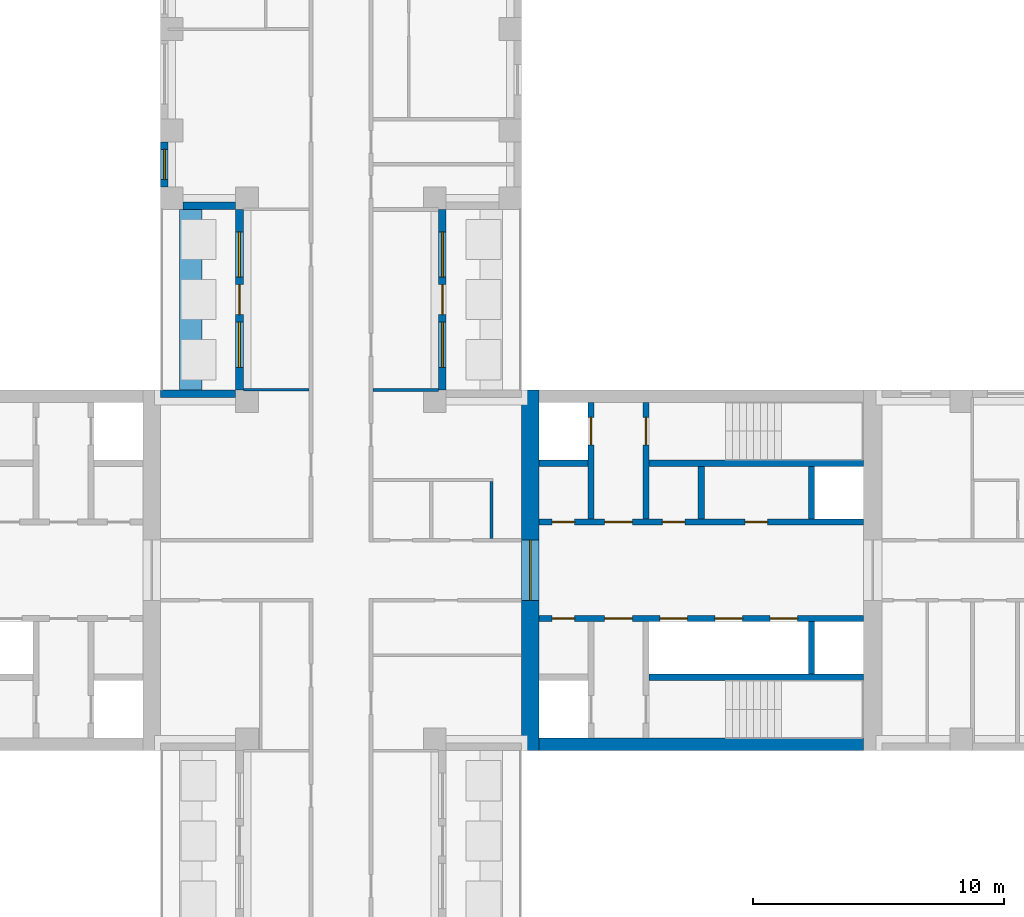
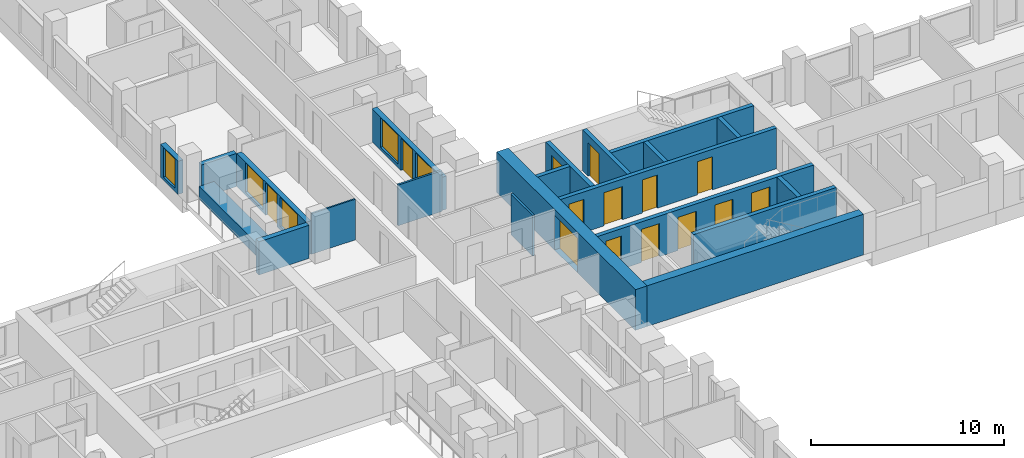
# One storey, part 8 of 15: 21 walls, 14 doors, 5 windows, 19 openings.
"""IFC4 building model written with IfcOpenShell, lengths in metres."""

from ifc_helpers import new_model, si_unit, direction, frame, frame_2d, origin, place, context, subcontext, project, spatial, rectangle, extrude, material, layer, layer_set, type_object, element, fill, save


model = new_model("IFC4")

# Units and contexts
model_context = context("Model", 3, precision=1e-05, world=origin(), true_north=direction((0.0, 1.0)))
body_context = subcontext(model_context, "Body", "Model", "MODEL_VIEW")
ifc_project = project(units=[si_unit("LENGTHUNIT", "METRE"), si_unit("AREAUNIT", "SQUARE_METRE"), si_unit("VOLUMEUNIT", "CUBIC_METRE"), si_unit("PLANEANGLEUNIT", "RADIAN"), si_unit("MASSUNIT", "GRAM", prefix="KILO")], contexts=[model_context])

# Site, building, storey
site_placement = place(None, origin())
site = spatial("IfcSite", under=ifc_project, at=site_placement, CompositionType="ELEMENT")
building_placement = place(site_placement, origin())
building = spatial("IfcBuilding", under=site, at=building_placement, Name="Fustian Cross Tower", CompositionType="ELEMENT")
storey_placement = place(building_placement, frame((0.0, 0.0, 50.699951171875)))
storey = spatial("IfcBuildingStorey", under=building, at=storey_placement, Name="L15", CompositionType="ELEMENT", Elevation=50.699951171875)

# Wall, opening, door
ifc_material_1 = material(Name="Concrete C80/95", Category="concrete")
ifc_layer_1 = layer(ifc_material_1, 0.699951171875)
ifc_layer_set_1 = layer_set([ifc_layer_1], Name="Concrete C80/95")
wall_type_1 = type_object("IfcWallType", Name="CORE END WALL 700 C80/95", PredefinedType="SHEAR", material=ifc_layer_set_1)
wall_1_placement = place(storey_placement, frame((7.550048828125, -7.199951171875, 0.0), z_axis=(0.0, 0.0, 1.0), x_axis=(0.0, 1.0, 0.0)))
wall_1 = element("IfcWall", 1, at=wall_1_placement, inside=storey, type_object=wall_type_1, Name="Core end wall", PredefinedType="SHEAR", context=body_context, shape_type="SweptSolid", body=[
    extrude(rectangle(XDim=14.39990234375, YDim=0.699951171875, at=frame_2d((7.199951171875, 0.0))), origin(), (0.0, 0.0, 1.0), 2.574951171875),
])
opening_1_placement = place(wall_1_placement, frame((6.0, 0.0, 0.0)))
opening_1 = element("IfcOpeningElement", 2, at=opening_1_placement, cuts=wall_1, Name="Opening CD-05-12", PredefinedType="OPENING", context=body_context, shape_type="SweptSolid", body=[
    extrude(rectangle(XDim=2.39990234375, YDim=2.199951171875, at=frame_2d((1.199951171875, 1.10009765625))), frame((0.0, 0.35986328125, 0.0), z_axis=(0.0, -1.0, 0.0), x_axis=(1.0, 0.0, 0.0)), (0.0, 0.0, 1.0), 0.719970703125),
])
ifc_material_2 = material(Name="Steel", Category="steel")
door_type_1 = type_object("IfcDoorType", Name="FIRE DOOR FD30S DOUBLE 2400X2200", OperationType="DOUBLE_DOOR_DOUBLE_SWING", PredefinedType="DOOR", material=ifc_material_2)
door_1_placement = place(opening_1_placement, frame((2.39990234375, 0.0, 0.0), z_axis=(0.0, 0.0, 1.0), x_axis=(-1.0, 0.0, 0.0)))
door_1 = element("IfcDoor", 3, at=door_1_placement, inside=storey, type_object=door_type_1, Name="Core door CD-05-12", OperationType="DOUBLE_DOOR_DOUBLE_SWING", OverallHeight=2.199951171875, OverallWidth=2.39990234375, PredefinedType="DOOR", context=body_context, shape_type="SweptSolid", body=[
    extrude(rectangle(XDim=2.39990234375, YDim=2.199951171875, at=frame_2d((1.199951171875, 1.10009765625))), frame((0.0, 0.02490234375, 0.0), z_axis=(0.0, -1.0, 0.0), x_axis=(1.0, 0.0, 0.0)), (0.0, 0.0, 1.0), 0.050048828125),
])
fill(opening_1, door_1)

# Wall
ifc_material_3 = material(Name="Concrete C80/95", Category="concrete")
ifc_layer_2 = layer(ifc_material_3, 0.5)
ifc_layer_set_2 = layer_set([ifc_layer_2], Name="Concrete C80/95")
wall_type_2 = type_object("IfcWallType", Name="CORE FACADE WALL 500 C80/95", PredefinedType="SHEAR", material=ifc_layer_set_2)
wall_2_placement = place(storey_placement, frame((7.89990234375, -6.949951171875, 0.0), z_axis=(0.0, 0.0, 1.0), x_axis=(1.0, 0.0, 0.0)))
element("IfcWall", 4, at=wall_2_placement, inside=storey, type_object=wall_type_2, Name="Core facade wall", PredefinedType="SHEAR", context=body_context, shape_type="SweptSolid", body=[
    extrude(rectangle(XDim=12.9501953125, YDim=0.5, at=frame_2d((6.47509765625, 0.0))), origin(), (0.0, 0.0, 1.0), 2.574951171875),
])

# Wall, openings, doors
ifc_material_4 = material(Name="Concrete C50/60", Category="concrete")
ifc_layer_3 = layer(ifc_material_4, 0.25)
ifc_layer_set_3 = layer_set([ifc_layer_3], Name="Concrete C50/60")
wall_type_3 = type_object("IfcWallType", Name="CORE LOBBY WALL 250 C50/60", PredefinedType="SHEAR", material=ifc_layer_set_3)
wall_3_placement = place(storey_placement, frame((7.89990234375, 1.925048828125, 0.0), z_axis=(0.0, 0.0, 1.0), x_axis=(1.0, 0.0, 0.0)))
wall_3 = element("IfcWall", 5, at=wall_3_placement, inside=storey, type_object=wall_type_3, Name="Core lobby wall", PredefinedType="SHEAR", context=body_context, shape_type="SweptSolid", body=[
    extrude(rectangle(XDim=12.9501953125, YDim=0.25, at=frame_2d((6.47509765625, 0.0))), origin(), (0.0, 0.0, 1.0), 2.574951171875),
])
opening_2_placement = place(wall_3_placement, frame((0.52490234375, 0.0, 0.0)))
opening_2 = element("IfcOpeningElement", 6, at=opening_2_placement, cuts=wall_3, Name="Opening CD-05-08", PredefinedType="OPENING", context=body_context, shape_type="SweptSolid", body=[
    extrude(rectangle(XDim=0.89990234375, YDim=2.10009765625, at=frame_2d((0.449951171875, 1.050048828125))), frame((0.0, 0.135009765625, 0.0), z_axis=(0.0, -1.0, 0.0), x_axis=(1.0, 0.0, 0.0)), (0.0, 0.0, 1.0), 0.27001953125),
])
opening_3_placement = place(wall_3_placement, frame((2.625, 0.0, 0.0)))
opening_3 = element("IfcOpeningElement", 7, at=opening_3_placement, cuts=wall_3, Name="Opening CD-05-10", PredefinedType="OPENING", context=body_context, shape_type="SweptSolid", body=[
    extrude(rectangle(XDim=1.10009765625, YDim=2.10009765625, at=frame_2d((0.550048828125, 1.050048828125))), frame((0.0, 0.135009765625, 0.0), z_axis=(0.0, -1.0, 0.0), x_axis=(1.0, 0.0, 0.0)), (0.0, 0.0, 1.0), 0.27001953125),
])
opening_4_placement = place(wall_3_placement, frame((4.925048828125, 0.0, 0.0)))
opening_4 = element("IfcOpeningElement", 8, at=opening_4_placement, cuts=wall_3, Name="Opening CD-05-14", PredefinedType="OPENING", context=body_context, shape_type="SweptSolid", body=[
    extrude(rectangle(XDim=0.89990234375, YDim=2.10009765625, at=frame_2d((0.449951171875, 1.050048828125))), frame((0.0, 0.135009765625, 0.0), z_axis=(0.0, -1.0, 0.0), x_axis=(1.0, 0.0, 0.0)), (0.0, 0.0, 1.0), 0.27001953125),
])
opening_5_placement = place(wall_3_placement, frame((8.22509765625, 0.0, 0.0)))
opening_5 = element("IfcOpeningElement", 9, at=opening_5_placement, cuts=wall_3, Name="Opening CD-05-15", PredefinedType="OPENING", context=body_context, shape_type="SweptSolid", body=[
    extrude(rectangle(XDim=0.89990234375, YDim=2.10009765625, at=frame_2d((0.449951171875, 1.050048828125))), frame((0.0, 0.135009765625, 0.0), z_axis=(0.0, -1.0, 0.0), x_axis=(1.0, 0.0, 0.0)), (0.0, 0.0, 1.0), 0.27001953125),
])
ifc_material_5 = material(Name="Steel", Category="steel")
door_type_2 = type_object("IfcDoorType", Name="FIRE DOOR FD30S 900X2100", OperationType="SINGLE_SWING_LEFT", PredefinedType="DOOR", material=ifc_material_5)
door_2_placement = place(opening_4_placement, origin())
door_2 = element("IfcDoor", 10, at=door_2_placement, inside=storey, type_object=door_type_2, Name="Core door CD-05-14", OperationType="SINGLE_SWING_LEFT", OverallHeight=2.10009765625, OverallWidth=0.89990234375, PredefinedType="DOOR", context=body_context, shape_type="SweptSolid", body=[
    extrude(rectangle(XDim=0.89990234375, YDim=2.10009765625, at=frame_2d((0.449951171875, 1.050048828125))), frame((0.0, 0.02490234375, 0.0), z_axis=(0.0, -1.0, 0.0), x_axis=(1.0, 0.0, 0.0)), (0.0, 0.0, 1.0), 0.050048828125),
])
fill(opening_4, door_2)
door_3_placement = place(opening_5_placement, origin())
door_3 = element("IfcDoor", 11, at=door_3_placement, inside=storey, type_object=door_type_2, Name="Core door CD-05-15", OperationType="SINGLE_SWING_RIGHT", OverallHeight=2.10009765625, OverallWidth=0.89990234375, PredefinedType="DOOR", context=body_context, shape_type="SweptSolid", body=[
    extrude(rectangle(XDim=0.89990234375, YDim=2.10009765625, at=frame_2d((0.449951171875, 1.050048828125))), frame((0.0, 0.02490234375, 0.0), z_axis=(0.0, -1.0, 0.0), x_axis=(1.0, 0.0, 0.0)), (0.0, 0.0, 1.0), 0.050048828125),
])
fill(opening_5, door_3)
ifc_material_6 = material(Name="Steel", Category="steel")
door_type_3 = type_object("IfcDoorType", Name="FIRE DOOR FD60S 1100X2100", OperationType="SINGLE_SWING_LEFT", PredefinedType="DOOR", material=ifc_material_6)
door_4_placement = place(opening_3_placement, frame((1.10009765625, 0.0, 0.0), z_axis=(0.0, 0.0, 1.0), x_axis=(-1.0, 0.0, 0.0)))
door_4 = element("IfcDoor", 12, at=door_4_placement, inside=storey, type_object=door_type_3, Name="Core door CD-05-10", OperationType="SINGLE_SWING_RIGHT", OverallHeight=2.10009765625, OverallWidth=1.10009765625, PredefinedType="DOOR", context=body_context, shape_type="SweptSolid", body=[
    extrude(rectangle(XDim=1.10009765625, YDim=2.10009765625, at=frame_2d((0.550048828125, 1.050048828125))), frame((0.0, 0.02490234375, 0.0), z_axis=(0.0, -1.0, 0.0), x_axis=(1.0, 0.0, 0.0)), (0.0, 0.0, 1.0), 0.050048828125),
])
fill(opening_3, door_4)
ifc_material_7 = material(Name="Steel", Category="steel")
door_type_4 = type_object("IfcDoorType", Name="FIRE DOOR FD60S 900X2100", OperationType="SINGLE_SWING_LEFT", PredefinedType="DOOR", material=ifc_material_7)
door_5_placement = place(opening_2_placement, origin())
door_5 = element("IfcDoor", 13, at=door_5_placement, inside=storey, type_object=door_type_4, Name="Core door CD-05-08", OperationType="SINGLE_SWING_LEFT", OverallHeight=2.10009765625, OverallWidth=0.89990234375, PredefinedType="DOOR", context=body_context, shape_type="SweptSolid", body=[
    extrude(rectangle(XDim=0.89990234375, YDim=2.10009765625, at=frame_2d((0.449951171875, 1.050048828125))), frame((0.0, 0.02490234375, 0.0), z_axis=(0.0, -1.0, 0.0), x_axis=(1.0, 0.0, 0.0)), (0.0, 0.0, 1.0), 0.050048828125),
])
fill(opening_2, door_5)

wall_4_placement = place(storey_placement, frame((7.89990234375, -1.925048828125, 0.0), z_axis=(0.0, 0.0, 1.0), x_axis=(1.0, 0.0, 0.0)))
wall_4 = element("IfcWall", 14, at=wall_4_placement, inside=storey, type_object=wall_type_3, Name="Core lobby wall", PredefinedType="SHEAR", context=body_context, shape_type="SweptSolid", body=[
    extrude(rectangle(XDim=12.9501953125, YDim=0.25, at=frame_2d((6.47509765625, 0.0))), origin(), (0.0, 0.0, 1.0), 2.574951171875),
])
opening_6_placement = place(wall_4_placement, frame((4.824951171875, 0.0, 0.0)))
opening_6 = element("IfcOpeningElement", 15, at=opening_6_placement, cuts=wall_4, Name="Opening LD", PredefinedType="OPENING", context=body_context, shape_type="SweptSolid", body=[
    extrude(rectangle(XDim=1.10009765625, YDim=2.10009765625, at=frame_2d((0.550048828125, 1.050048828125))), frame((0.0, 0.135009765625, 0.0), z_axis=(0.0, -1.0, 0.0), x_axis=(1.0, 0.0, 0.0)), (0.0, 0.0, 1.0), 0.27001953125),
])
opening_7_placement = place(wall_4_placement, frame((7.02490234375, 0.0, 0.0)))
opening_7 = element("IfcOpeningElement", 16, at=opening_7_placement, cuts=wall_4, Name="Opening LD", PredefinedType="OPENING", context=body_context, shape_type="SweptSolid", body=[
    extrude(rectangle(XDim=1.10009765625, YDim=2.10009765625, at=frame_2d((0.550048828125, 1.050048828125))), frame((0.0, 0.135009765625, 0.0), z_axis=(0.0, -1.0, 0.0), x_axis=(1.0, 0.0, 0.0)), (0.0, 0.0, 1.0), 0.27001953125),
])
opening_8_placement = place(wall_4_placement, frame((9.22509765625, 0.0, 0.0)))
opening_8 = element("IfcOpeningElement", 17, at=opening_8_placement, cuts=wall_4, Name="Opening LD", PredefinedType="OPENING", context=body_context, shape_type="SweptSolid", body=[
    extrude(rectangle(XDim=1.10009765625, YDim=2.10009765625, at=frame_2d((0.550048828125, 1.050048828125))), frame((0.0, 0.135009765625, 0.0), z_axis=(0.0, -1.0, 0.0), x_axis=(1.0, 0.0, 0.0)), (0.0, 0.0, 1.0), 0.27001953125),
])
opening_9_placement = place(wall_4_placement, frame((0.52490234375, 0.0, 0.0)))
opening_9 = element("IfcOpeningElement", 18, at=opening_9_placement, cuts=wall_4, Name="Opening CD-05-09", PredefinedType="OPENING", context=body_context, shape_type="SweptSolid", body=[
    extrude(rectangle(XDim=0.89990234375, YDim=2.10009765625, at=frame_2d((0.449951171875, 1.050048828125))), frame((0.0, 0.135009765625, 0.0), z_axis=(0.0, -1.0, 0.0), x_axis=(1.0, 0.0, 0.0)), (0.0, 0.0, 1.0), 0.27001953125),
])
opening_10_placement = place(wall_4_placement, frame((2.625, 0.0, 0.0)))
opening_10 = element("IfcOpeningElement", 19, at=opening_10_placement, cuts=wall_4, Name="Opening CD-05-11", PredefinedType="OPENING", context=body_context, shape_type="SweptSolid", body=[
    extrude(rectangle(XDim=1.10009765625, YDim=2.10009765625, at=frame_2d((0.550048828125, 1.050048828125))), frame((0.0, 0.135009765625, 0.0), z_axis=(0.0, -1.0, 0.0), x_axis=(1.0, 0.0, 0.0)), (0.0, 0.0, 1.0), 0.27001953125),
])
ifc_material_8 = material(Name="Steel", Category="steel")
door_type_5 = type_object("IfcDoorType", Name="FIRE DOOR FD30S 1100X2100", OperationType="SINGLE_SWING_LEFT", PredefinedType="DOOR", material=ifc_material_8)
door_6_placement = place(opening_10_placement, frame((1.10009765625, 0.0, 0.0), z_axis=(0.0, 0.0, 1.0), x_axis=(-1.0, 0.0, 0.0)))
door_6 = element("IfcDoor", 20, at=door_6_placement, inside=storey, type_object=door_type_5, Name="Core door CD-05-11", OperationType="SINGLE_SWING_RIGHT", OverallHeight=2.10009765625, OverallWidth=1.10009765625, PredefinedType="DOOR", context=body_context, shape_type="SweptSolid", body=[
    extrude(rectangle(XDim=1.10009765625, YDim=2.10009765625, at=frame_2d((0.550048828125, 1.050048828125))), frame((0.0, 0.02490234375, 0.0), z_axis=(0.0, -1.0, 0.0), x_axis=(1.0, 0.0, 0.0)), (0.0, 0.0, 1.0), 0.050048828125),
])
fill(opening_10, door_6)
door_7_placement = place(opening_9_placement, frame((0.89990234375, 0.0, 0.0), z_axis=(0.0, 0.0, 1.0), x_axis=(-1.0, 0.0, 0.0)))
door_7 = element("IfcDoor", 21, at=door_7_placement, inside=storey, type_object=door_type_2, Name="Core door CD-05-09", OperationType="SINGLE_SWING_RIGHT", OverallHeight=2.10009765625, OverallWidth=0.89990234375, PredefinedType="DOOR", context=body_context, shape_type="SweptSolid", body=[
    extrude(rectangle(XDim=0.89990234375, YDim=2.10009765625, at=frame_2d((0.449951171875, 1.050048828125))), frame((0.0, 0.02490234375, 0.0), z_axis=(0.0, -1.0, 0.0), x_axis=(1.0, 0.0, 0.0)), (0.0, 0.0, 1.0), 0.050048828125),
])
fill(opening_9, door_7)
ifc_material_9 = material(Name="Stainless steel", Category="steel")
door_type_6 = type_object("IfcDoorType", Name="LIFT LANDING DOOR 1100X2100", OperationType="SLIDING_TO_LEFT", PredefinedType="DOOR", material=ifc_material_9)
door_8_placement = place(opening_6_placement, origin())
door_8 = element("IfcDoor", 22, at=door_8_placement, inside=storey, type_object=door_type_6, Name="Landing door LR1", OperationType="SLIDING_TO_LEFT", OverallHeight=2.10009765625, OverallWidth=1.10009765625, PredefinedType="DOOR", context=body_context, shape_type="SweptSolid", body=[
    extrude(rectangle(XDim=1.10009765625, YDim=2.10009765625, at=frame_2d((0.550048828125, 1.050048828125))), frame((0.0, 0.02490234375, 0.0), z_axis=(0.0, -1.0, 0.0), x_axis=(1.0, 0.0, 0.0)), (0.0, 0.0, 1.0), 0.050048828125),
])
fill(opening_6, door_8)
door_9_placement = place(opening_7_placement, origin())
door_9 = element("IfcDoor", 23, at=door_9_placement, inside=storey, type_object=door_type_6, Name="Landing door LR2", OperationType="SLIDING_TO_LEFT", OverallHeight=2.10009765625, OverallWidth=1.10009765625, PredefinedType="DOOR", context=body_context, shape_type="SweptSolid", body=[
    extrude(rectangle(XDim=1.10009765625, YDim=2.10009765625, at=frame_2d((0.550048828125, 1.050048828125))), frame((0.0, 0.02490234375, 0.0), z_axis=(0.0, -1.0, 0.0), x_axis=(1.0, 0.0, 0.0)), (0.0, 0.0, 1.0), 0.050048828125),
])
fill(opening_7, door_9)
door_10_placement = place(opening_8_placement, origin())
door_10 = element("IfcDoor", 24, at=door_10_placement, inside=storey, type_object=door_type_6, Name="Landing door LR3", OperationType="SLIDING_TO_LEFT", OverallHeight=2.10009765625, OverallWidth=1.10009765625, PredefinedType="DOOR", context=body_context, shape_type="SweptSolid", body=[
    extrude(rectangle(XDim=1.10009765625, YDim=2.10009765625, at=frame_2d((0.550048828125, 1.050048828125))), frame((0.0, 0.02490234375, 0.0), z_axis=(0.0, -1.0, 0.0), x_axis=(1.0, 0.0, 0.0)), (0.0, 0.0, 1.0), 0.050048828125),
])
fill(opening_8, door_10)

# Walls
ifc_material_10 = material(Name="Concrete C50/60", Category="concrete")
ifc_layer_4 = layer(ifc_material_10, 0.25)
ifc_layer_set_4 = layer_set([ifc_layer_4], Name="Concrete C50/60")
wall_type_4 = type_object("IfcWallType", Name="CORE SHAFT WALL 250 C50/60", PredefinedType="SHEAR", material=ifc_layer_set_4)
wall_5_placement = place(storey_placement, frame((7.89990234375, 4.27490234375, 0.0), z_axis=(0.0, 0.0, 1.0), x_axis=(1.0, 0.0, 0.0)))
element("IfcWall", 25, at=wall_5_placement, inside=storey, type_object=wall_type_4, Name="Core shaft wall", PredefinedType="SHEAR", context=body_context, shape_type="SweptSolid", body=[
    extrude(rectangle(XDim=1.9501953125, YDim=0.25, at=frame_2d((0.97509765625, 0.0))), origin(), (0.0, 0.0, 1.0), 2.574951171875),
])
wall_6_placement = place(storey_placement, frame((12.300048828125, 4.27490234375, 0.0), z_axis=(0.0, 0.0, 1.0), x_axis=(1.0, 0.0, 0.0)))
element("IfcWall", 26, at=wall_6_placement, inside=storey, type_object=wall_type_4, Name="Core shaft wall", PredefinedType="SHEAR", context=body_context, shape_type="SweptSolid", body=[
    extrude(rectangle(XDim=8.550048828125, YDim=0.25, at=frame_2d((4.27490234375, 0.0))), origin(), (0.0, 0.0, 1.0), 2.574951171875),
])

# Wall, opening, door
wall_7_placement = place(storey_placement, frame((9.97509765625, 2.050048828125, 0.0), z_axis=(0.0, 0.0, 1.0), x_axis=(0.0, 1.0, 0.0)))
wall_7 = element("IfcWall", 27, at=wall_7_placement, inside=storey, type_object=wall_type_4, Name="Core shaft wall", PredefinedType="SHEAR", context=body_context, shape_type="SweptSolid", body=[
    extrude(rectangle(XDim=4.64990234375, YDim=0.25, at=frame_2d((2.324951171875, 0.0))), origin(), (0.0, 0.0, 1.0), 2.574951171875),
])
opening_11_placement = place(wall_7_placement, frame((2.949951171875, 0.0, 0.0)))
opening_11 = element("IfcOpeningElement", 28, at=opening_11_placement, cuts=wall_7, Name="Opening LD", PredefinedType="OPENING", context=body_context, shape_type="SweptSolid", body=[
    extrude(rectangle(XDim=1.10009765625, YDim=2.10009765625, at=frame_2d((0.550048828125, 1.050048828125))), frame((0.0, 0.135009765625, 0.0), z_axis=(0.0, -1.0, 0.0), x_axis=(1.0, 0.0, 0.0)), (0.0, 0.0, 1.0), 0.27001953125),
])
door_11_placement = place(opening_11_placement, origin())
door_11 = element("IfcDoor", 29, at=door_11_placement, inside=storey, type_object=door_type_6, Name="Landing door FL1", OperationType="SLIDING_TO_LEFT", OverallHeight=2.10009765625, OverallWidth=1.10009765625, PredefinedType="DOOR", context=body_context, shape_type="SweptSolid", body=[
    extrude(rectangle(XDim=1.10009765625, YDim=2.10009765625, at=frame_2d((0.550048828125, 1.050048828125))), frame((0.0, 0.02490234375, 0.0), z_axis=(0.0, -1.0, 0.0), x_axis=(1.0, 0.0, 0.0)), (0.0, 0.0, 1.0), 0.050048828125),
])
fill(opening_11, door_11)

wall_8_placement = place(storey_placement, frame((12.175048828125, 2.050048828125, 0.0), z_axis=(0.0, 0.0, 1.0), x_axis=(0.0, 1.0, 0.0)))
wall_8 = element("IfcWall", 30, at=wall_8_placement, inside=storey, type_object=wall_type_4, Name="Core shaft wall", PredefinedType="SHEAR", context=body_context, shape_type="SweptSolid", body=[
    extrude(rectangle(XDim=4.64990234375, YDim=0.25, at=frame_2d((2.324951171875, 0.0))), origin(), (0.0, 0.0, 1.0), 2.574951171875),
])
opening_12_placement = place(wall_8_placement, frame((2.949951171875, 0.0, 0.0)))
opening_12 = element("IfcOpeningElement", 31, at=opening_12_placement, cuts=wall_8, Name="Opening CD-05-06", PredefinedType="OPENING", context=body_context, shape_type="SweptSolid", body=[
    extrude(rectangle(XDim=1.10009765625, YDim=2.10009765625, at=frame_2d((0.550048828125, 1.050048828125))), frame((0.0, 0.135009765625, 0.0), z_axis=(0.0, -1.0, 0.0), x_axis=(1.0, 0.0, 0.0)), (0.0, 0.0, 1.0), 0.27001953125),
])
door_12_placement = place(opening_12_placement, frame((1.10009765625, 0.0, 0.0), z_axis=(0.0, 0.0, 1.0), x_axis=(-1.0, 0.0, 0.0)))
door_12 = element("IfcDoor", 32, at=door_12_placement, inside=storey, type_object=door_type_3, Name="Core door CD-05-06", OperationType="SINGLE_SWING_RIGHT", OverallHeight=2.10009765625, OverallWidth=1.10009765625, PredefinedType="DOOR", context=body_context, shape_type="SweptSolid", body=[
    extrude(rectangle(XDim=1.10009765625, YDim=2.10009765625, at=frame_2d((0.550048828125, 1.050048828125))), frame((0.0, 0.02490234375, 0.0), z_axis=(0.0, -1.0, 0.0), x_axis=(1.0, 0.0, 0.0)), (0.0, 0.0, 1.0), 0.050048828125),
])
fill(opening_12, door_12)

# Walls
wall_9_placement = place(storey_placement, frame((12.300048828125, -4.27490234375, 0.0), z_axis=(0.0, 0.0, 1.0), x_axis=(1.0, 0.0, 0.0)))
element("IfcWall", 33, at=wall_9_placement, inside=storey, type_object=wall_type_4, Name="Core shaft wall", PredefinedType="SHEAR", context=body_context, shape_type="SweptSolid", body=[
    extrude(rectangle(XDim=8.550048828125, YDim=0.25, at=frame_2d((4.27490234375, 0.0))), origin(), (0.0, 0.0, 1.0), 2.574951171875),
])
ifc_material_11 = material(Name="Plasterboard on steel stud", Category="steel")
ifc_layer_5 = layer(ifc_material_11, 0.10009765625)
ifc_layer_set_5 = layer_set([ifc_layer_5], Name="Plasterboard on steel stud")
wall_type_5 = type_object("IfcWallType", Name="PARTITION 100 STUD", PredefinedType="PARTITIONING", material=ifc_layer_set_5)
wall_10_placement = place(storey_placement, frame((-3.89990234375, 7.199951171875, 0.0), z_axis=(0.0, 0.0, 1.0), x_axis=(1.0, 0.0, 0.0)))
element("IfcWall", 34, at=wall_10_placement, inside=storey, type_object=wall_type_5, Name="Partition 32", PredefinedType="PARTITIONING", context=body_context, shape_type="SweptSolid", body=[
    extrude(rectangle(XDim=2.625, YDim=0.10009765625, at=frame_2d((1.3125, 0.0))), origin(), (0.0, 0.0, 1.0), 2.574951171875),
])
ifc_material_12 = material(Name="Concrete C40/50", Category="concrete")
ifc_layer_6 = layer(ifc_material_12, 0.89990234375)
ifc_layer_set_6 = layer_set([ifc_layer_6], Name="Concrete C40/50")
wall_type_6 = type_object("IfcWallType", Name="PK1 PLANTER 900", PredefinedType="PARAPET", material=ifc_layer_set_6)
wall_11_placement = place(storey_placement, frame((-6.0, 7.199951171875, 0.0), z_axis=(0.0, 0.0, 1.0), x_axis=(0.0, 1.0, 0.0)))
element("IfcWall", 35, at=wall_11_placement, inside=storey, type_object=wall_type_6, Name="PLANTER", PredefinedType="PARAPET", context=body_context, shape_type="SweptSolid", body=[
    extrude(rectangle(XDim=7.199951171875, YDim=0.89990234375, at=frame_2d((3.60009765625, 0.0))), origin(), (0.0, 0.0, 1.0), 0.800048828125),
])
ifc_material_13 = material(Name="Concrete C40/50", Category="concrete")
ifc_layer_7 = layer(ifc_material_13, 0.25)
ifc_layer_set_7 = layer_set([ifc_layer_7], Name="Concrete C40/50")
wall_type_7 = type_object("IfcWallType", Name="SHAFT PARTITION WALL 250 C40/50", PredefinedType="PARTITIONING", material=ifc_layer_set_7)
for number, where, z_axis, x_axis, name in (
    (36, (14.375, 2.050048828125, 0.0), (0.0, 0.0, 1.0), (0.0, 1.0, 0.0), "Core shaft wall"),
    (37, (18.77490234375, 2.050048828125, 0.0), (0.0, 0.0, 1.0), (0.0, 1.0, 0.0), "Core shaft wall"),
    (38, (18.77490234375, -2.050048828125, 0.0), (0.0, 0.0, 1.0), (0.0, -1.0, 0.0), "Core shaft wall"),
):
    element("IfcWall", number, at=place(storey_placement, frame(where, z_axis=z_axis, x_axis=x_axis)), inside=storey, type_object=wall_type_7, Name=name, PredefinedType="PARTITIONING", context=body_context, shape_type="SweptSolid", body=[
        extrude(rectangle(XDim=2.099853515625, YDim=0.25, at=frame_2d((1.0498046875, 0.0))), origin(), (0.0, 0.0, 1.0), 2.574951171875),
    ])
ifc_material_14 = material(Name="Plasterboard on steel stud", Category="steel")
ifc_layer_8 = layer(ifc_material_14, 0.125)
ifc_layer_set_8 = layer_set([ifc_layer_8], Name="Plasterboard on steel stud")
wall_type_8 = type_object("IfcWallType", Name="WET WALL 125 STUD", PredefinedType="PARTITIONING", material=ifc_layer_set_8)
wall_12_placement = place(storey_placement, frame((1.27490234375, 7.199951171875, 0.0), z_axis=(0.0, 0.0, 1.0), x_axis=(1.0, 0.0, 0.0)))
element("IfcWall", 39, at=wall_12_placement, inside=storey, type_object=wall_type_8, Name="Partition 54", PredefinedType="PARTITIONING", context=body_context, shape_type="SweptSolid", body=[
    extrude(rectangle(XDim=2.625, YDim=0.125, at=frame_2d((1.3125, 0.0))), origin(), (0.0, 0.0, 1.0), 2.574951171875),
])
wall_13_placement = place(storey_placement, frame((6.0, 1.27490234375, 0.0), z_axis=(0.0, 0.0, 1.0), x_axis=(0.0, 1.0, 0.0)))
element("IfcWall", 40, at=wall_13_placement, inside=storey, type_object=wall_type_8, Name="Partition 76", PredefinedType="PARTITIONING", context=body_context, shape_type="SweptSolid", body=[
    extrude(rectangle(XDim=2.2626953125, YDim=0.125, at=frame_2d((1.13134765625, 0.0))), origin(), (0.0, 0.0, 1.0), 2.574951171875),
])

# Wall, openings, door, windows
ifc_material_15 = material(Name="Dark aluminium cladding on insulated backing wall", Category="aluminium")
ifc_layer_9 = layer(ifc_material_15, 0.300048828125)
ifc_layer_set_9 = layer_set([ifc_layer_9], Name="Dark aluminium cladding on insulated backing wall")
wall_type_9 = type_object("IfcWallType", Name="XW1 EXTERNAL WALL 300", PredefinedType="SOLIDWALL", material=ifc_layer_set_9)
wall_14_placement = place(storey_placement, frame((4.050048828125, 7.199951171875, 0.0), z_axis=(0.0, 0.0, 1.0), x_axis=(0.0, 1.0, 0.0)))
wall_14 = element("IfcWall", 41, at=wall_14_placement, inside=storey, type_object=wall_type_9, Name="External wall", PredefinedType="SOLIDWALL", context=body_context, shape_type="SweptSolid", body=[
    extrude(rectangle(XDim=7.199951171875, YDim=0.300048828125, at=frame_2d((3.60009765625, 0.0))), origin(), (0.0, 0.0, 1.0), 2.10009765625),
])
opening_13_placement = place(wall_14_placement, frame((3.0, 0.0, 0.0)))
opening_13 = element("IfcOpeningElement", 42, at=opening_13_placement, cuts=wall_14, Name="Opening XD1", PredefinedType="OPENING", context=body_context, shape_type="SweptSolid", body=[
    extrude(rectangle(XDim=1.199951171875, YDim=2.050048828125, at=frame_2d((0.60009765625, 1.02490234375))), frame((0.0, 0.159912109375, 0.0), z_axis=(0.0, -1.0, 0.0), x_axis=(1.0, 0.0, 0.0)), (0.0, 0.0, 1.0), 0.320068359375),
])
opening_14_placement = place(wall_14_placement, frame((0.89990234375, 0.0, 0.199951171875)))
opening_14 = element("IfcOpeningElement", 43, at=opening_14_placement, cuts=wall_14, Name="Opening WN2", PredefinedType="OPENING", context=body_context, shape_type="SweptSolid", body=[
    extrude(rectangle(XDim=1.800048828125, YDim=1.85009765625, at=frame_2d((0.89990234375, 0.925048828125))), frame((0.0, 0.159912109375, 0.0), z_axis=(0.0, -1.0, 0.0), x_axis=(1.0, 0.0, 0.0)), (0.0, 0.0, 1.0), 0.320068359375),
])
opening_15_placement = place(wall_14_placement, frame((4.5, 0.0, 0.199951171875)))
opening_15 = element("IfcOpeningElement", 44, at=opening_15_placement, cuts=wall_14, Name="Opening WN2", PredefinedType="OPENING", context=body_context, shape_type="SweptSolid", body=[
    extrude(rectangle(XDim=1.800048828125, YDim=1.85009765625, at=frame_2d((0.89990234375, 0.925048828125))), frame((0.0, 0.159912109375, 0.0), z_axis=(0.0, -1.0, 0.0), x_axis=(1.0, 0.0, 0.0)), (0.0, 0.0, 1.0), 0.320068359375),
])
ifc_material_16 = material(Name="Dark anodised aluminium and double glazing", Category="aluminium")
door_type_7 = type_object("IfcDoorType", Name="ED1 BALCONY DOOR 1200X2050", OperationType="SINGLE_SWING_LEFT", PredefinedType="DOOR", material=ifc_material_16)
door_13_placement = place(opening_13_placement, origin())
door_13 = element("IfcDoor", 45, at=door_13_placement, inside=storey, type_object=door_type_7, Name="Balcony door", OperationType="SINGLE_SWING_LEFT", OverallHeight=2.050048828125, OverallWidth=1.199951171875, PredefinedType="DOOR", context=body_context, shape_type="SweptSolid", body=[
    extrude(rectangle(XDim=1.199951171875, YDim=2.050048828125, at=frame_2d((0.60009765625, 1.02490234375))), frame((0.0, 0.02490234375, 0.0), z_axis=(0.0, -1.0, 0.0), x_axis=(1.0, 0.0, 0.0)), (0.0, 0.0, 1.0), 0.050048828125),
])
fill(opening_13, door_13)
ifc_material_17 = material(Name="Dark anodised aluminium and double glazing", Category="aluminium")
window_type_1 = type_object("IfcWindowType", Name="WN2 WINDOW 1800X1850", PartitioningType="SINGLE_PANEL", PredefinedType="WINDOW", material=ifc_material_17)
window_1_placement = place(opening_14_placement, origin())
window_1 = element("IfcWindow", 46, at=window_1_placement, inside=storey, type_object=window_type_1, Name="Window", OverallHeight=1.85009765625, OverallWidth=1.800048828125, PartitioningType="SINGLE_PANEL", PredefinedType="WINDOW", context=body_context, shape_type="SweptSolid", body=[
    extrude(rectangle(XDim=1.800048828125, YDim=1.85009765625, at=frame_2d((0.89990234375, 0.925048828125))), frame((0.0, 0.030029296875, 0.0), z_axis=(0.0, -1.0, 0.0), x_axis=(1.0, 0.0, 0.0)), (0.0, 0.0, 1.0), 0.06005859375),
])
fill(opening_14, window_1)
window_2_placement = place(opening_15_placement, origin())
window_2 = element("IfcWindow", 47, at=window_2_placement, inside=storey, type_object=window_type_1, Name="Window", OverallHeight=1.85009765625, OverallWidth=1.800048828125, PartitioningType="SINGLE_PANEL", PredefinedType="WINDOW", context=body_context, shape_type="SweptSolid", body=[
    extrude(rectangle(XDim=1.800048828125, YDim=1.85009765625, at=frame_2d((0.89990234375, 0.925048828125))), frame((0.0, 0.030029296875, 0.0), z_axis=(0.0, -1.0, 0.0), x_axis=(1.0, 0.0, 0.0)), (0.0, 0.0, 1.0), 0.06005859375),
])
fill(opening_15, window_2)

# Wall, opening, window
wall_15_placement = place(storey_placement, frame((-7.050048828125, 17.10009765625, 0.0), z_axis=(0.0, 0.0, 1.0), x_axis=(0.0, -1.0, 0.0)))
wall_15 = element("IfcWall", 48, at=wall_15_placement, inside=storey, type_object=wall_type_9, Name="External wall", PredefinedType="SOLIDWALL", context=body_context, shape_type="SweptSolid", body=[
    extrude(rectangle(XDim=1.800048828125, YDim=0.300048828125, at=frame_2d((0.89990234375, 0.0))), origin(), (0.0, 0.0, 1.0), 2.10009765625),
])
opening_16_placement = place(wall_15_placement, frame((0.300048828125, 0.0, 0.199951171875)))
opening_16 = element("IfcOpeningElement", 49, at=opening_16_placement, cuts=wall_15, Name="Opening WN3", PredefinedType="OPENING", context=body_context, shape_type="SweptSolid", body=[
    extrude(rectangle(XDim=1.199951171875, YDim=1.85009765625, at=frame_2d((0.60009765625, 0.925048828125))), frame((0.0, 0.159912109375, 0.0), z_axis=(0.0, -1.0, 0.0), x_axis=(1.0, 0.0, 0.0)), (0.0, 0.0, 1.0), 0.320068359375),
])
ifc_material_18 = material(Name="Dark anodised aluminium and double glazing", Category="aluminium")
window_type_2 = type_object("IfcWindowType", Name="WN3 WINDOW 1200X1850", PartitioningType="SINGLE_PANEL", PredefinedType="WINDOW", material=ifc_material_18)
window_3_placement = place(opening_16_placement, origin())
window_3 = element("IfcWindow", 50, at=window_3_placement, inside=storey, type_object=window_type_2, Name="Window", OverallHeight=1.85009765625, OverallWidth=1.199951171875, PartitioningType="SINGLE_PANEL", PredefinedType="WINDOW", context=body_context, shape_type="SweptSolid", body=[
    extrude(rectangle(XDim=1.199951171875, YDim=1.85009765625, at=frame_2d((0.60009765625, 0.925048828125))), frame((0.0, 0.030029296875, 0.0), z_axis=(0.0, -1.0, 0.0), x_axis=(1.0, 0.0, 0.0)), (0.0, 0.0, 1.0), 0.06005859375),
])
fill(opening_16, window_3)

# Wall
wall_16_placement = place(storey_placement, frame((-6.300048828125, 14.550048828125, 0.0), z_axis=(0.0, 0.0, 1.0), x_axis=(1.0, 0.0, 0.0)))
element("IfcWall", 51, at=wall_16_placement, inside=storey, type_object=wall_type_9, Name="External wall", PredefinedType="SOLIDWALL", context=body_context, shape_type="SweptSolid", body=[
    extrude(rectangle(XDim=2.10009765625, YDim=0.300048828125, at=frame_2d((1.050048828125, 0.0))), origin(), (0.0, 0.0, 1.0), 2.10009765625),
])

# Wall, openings, door, windows
wall_17_placement = place(storey_placement, frame((-4.050048828125, 14.39990234375, 0.0), z_axis=(0.0, 0.0, 1.0), x_axis=(0.0, -1.0, 0.0)))
wall_17 = element("IfcWall", 52, at=wall_17_placement, inside=storey, type_object=wall_type_9, Name="External wall", PredefinedType="SOLIDWALL", context=body_context, shape_type="SweptSolid", body=[
    extrude(rectangle(XDim=7.199951171875, YDim=0.300048828125, at=frame_2d((3.60009765625, 0.0))), origin(), (0.0, 0.0, 1.0), 2.10009765625),
])
opening_17_placement = place(wall_17_placement, frame((3.0, 0.0, 0.0)))
opening_17 = element("IfcOpeningElement", 53, at=opening_17_placement, cuts=wall_17, Name="Opening XD2", PredefinedType="OPENING", context=body_context, shape_type="SweptSolid", body=[
    extrude(rectangle(XDim=1.199951171875, YDim=2.050048828125, at=frame_2d((0.60009765625, 1.02490234375))), frame((0.0, 0.159912109375, 0.0), z_axis=(0.0, -1.0, 0.0), x_axis=(1.0, 0.0, 0.0)), (0.0, 0.0, 1.0), 0.320068359375),
])
opening_18_placement = place(wall_17_placement, frame((0.89990234375, 0.0, 0.199951171875)))
opening_18 = element("IfcOpeningElement", 54, at=opening_18_placement, cuts=wall_17, Name="Opening WN2", PredefinedType="OPENING", context=body_context, shape_type="SweptSolid", body=[
    extrude(rectangle(XDim=1.800048828125, YDim=1.85009765625, at=frame_2d((0.89990234375, 0.925048828125))), frame((0.0, 0.159912109375, 0.0), z_axis=(0.0, -1.0, 0.0), x_axis=(1.0, 0.0, 0.0)), (0.0, 0.0, 1.0), 0.320068359375),
])
opening_19_placement = place(wall_17_placement, frame((4.5, 0.0, 0.199951171875)))
opening_19 = element("IfcOpeningElement", 55, at=opening_19_placement, cuts=wall_17, Name="Opening WN2", PredefinedType="OPENING", context=body_context, shape_type="SweptSolid", body=[
    extrude(rectangle(XDim=1.800048828125, YDim=1.85009765625, at=frame_2d((0.89990234375, 0.925048828125))), frame((0.0, 0.159912109375, 0.0), z_axis=(0.0, -1.0, 0.0), x_axis=(1.0, 0.0, 0.0)), (0.0, 0.0, 1.0), 0.320068359375),
])
door_14_placement = place(opening_17_placement, origin())
door_14 = element("IfcDoor", 56, at=door_14_placement, inside=storey, type_object=door_type_7, Name="Balcony door", OperationType="SINGLE_SWING_LEFT", OverallHeight=2.050048828125, OverallWidth=1.199951171875, PredefinedType="DOOR", context=body_context, shape_type="SweptSolid", body=[
    extrude(rectangle(XDim=1.199951171875, YDim=2.050048828125, at=frame_2d((0.60009765625, 1.02490234375))), frame((0.0, 0.02490234375, 0.0), z_axis=(0.0, -1.0, 0.0), x_axis=(1.0, 0.0, 0.0)), (0.0, 0.0, 1.0), 0.050048828125),
])
fill(opening_17, door_14)
window_4_placement = place(opening_18_placement, origin())
window_4 = element("IfcWindow", 57, at=window_4_placement, inside=storey, type_object=window_type_1, Name="Window", OverallHeight=1.85009765625, OverallWidth=1.800048828125, PartitioningType="SINGLE_PANEL", PredefinedType="WINDOW", context=body_context, shape_type="SweptSolid", body=[
    extrude(rectangle(XDim=1.800048828125, YDim=1.85009765625, at=frame_2d((0.89990234375, 0.925048828125))), frame((0.0, 0.030029296875, 0.0), z_axis=(0.0, -1.0, 0.0), x_axis=(1.0, 0.0, 0.0)), (0.0, 0.0, 1.0), 0.06005859375),
])
fill(opening_18, window_4)
window_5_placement = place(opening_19_placement, origin())
window_5 = element("IfcWindow", 58, at=window_5_placement, inside=storey, type_object=window_type_1, Name="Window", OverallHeight=1.85009765625, OverallWidth=1.800048828125, PartitioningType="SINGLE_PANEL", PredefinedType="WINDOW", context=body_context, shape_type="SweptSolid", body=[
    extrude(rectangle(XDim=1.800048828125, YDim=1.85009765625, at=frame_2d((0.89990234375, 0.925048828125))), frame((0.0, 0.030029296875, 0.0), z_axis=(0.0, -1.0, 0.0), x_axis=(1.0, 0.0, 0.0)), (0.0, 0.0, 1.0), 0.06005859375),
])
fill(opening_19, window_5)

# Wall
wall_18_placement = place(storey_placement, frame((-4.199951171875, 7.050048828125, 0.0), z_axis=(0.0, 0.0, 1.0), x_axis=(-1.0, 0.0, 0.0)))
element("IfcWall", 59, at=wall_18_placement, inside=storey, type_object=wall_type_9, Name="External wall", PredefinedType="SOLIDWALL", context=body_context, shape_type="SweptSolid", body=[
    extrude(rectangle(XDim=3.0, YDim=0.300048828125, at=frame_2d((1.5, 0.0))), origin(), (0.0, 0.0, 1.0), 2.10009765625),
])

save(model, "model.ifc")
